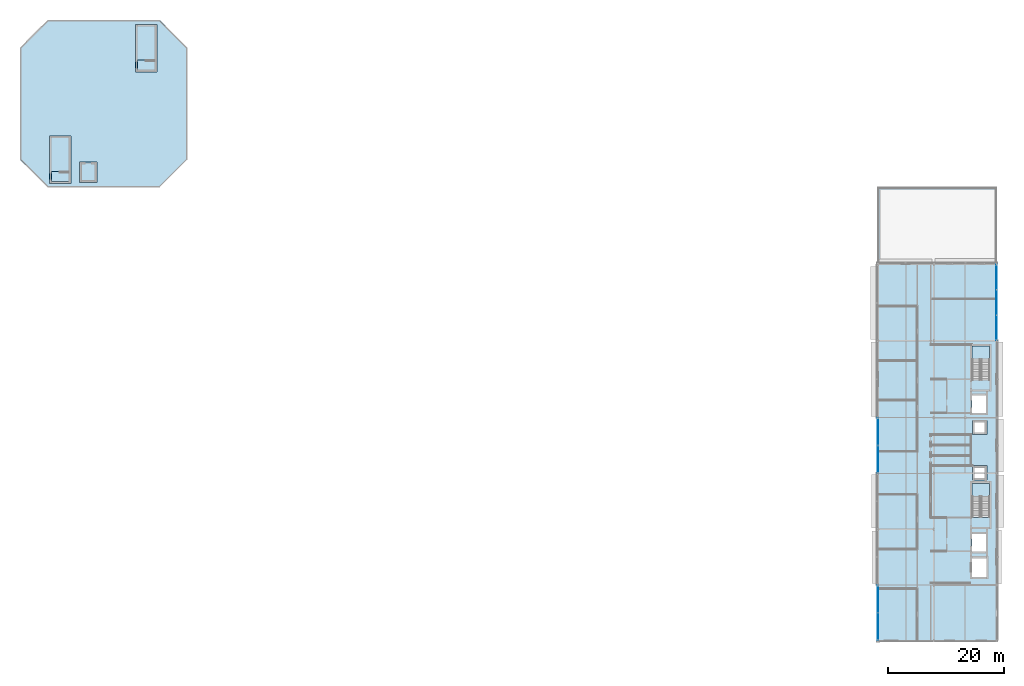
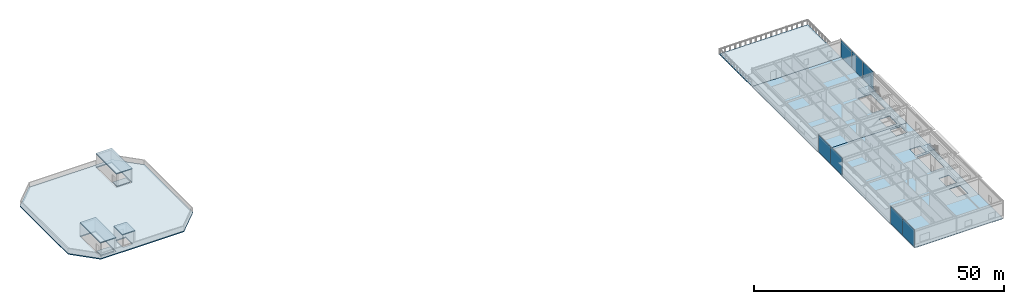
# One storey, part 12 of 22: 11 slabs, 7 plates, 5 elements without a shape of their own.
"""IFC4 building model written with IfcOpenShell, lengths in metres."""

from ifc_helpers import new_model, si_unit, direction, frame, origin, origin_2d, place, context, subcontext, project, spatial, polyline, rectangle, outline, extrude, material, layer, layer_set, type_object, element, aggregate, save


model = new_model("IFC4")

# Units and contexts
model_context = context("Model", 3, precision=1e-05, world=origin(), true_north=direction((0.0, 1.0)))
body_context = subcontext(model_context, "Body", "Model", "MODEL_VIEW")
ifc_project = project(units=[si_unit("LENGTHUNIT", "METRE"), si_unit("AREAUNIT", "SQUARE_METRE"), si_unit("VOLUMEUNIT", "CUBIC_METRE"), si_unit("PLANEANGLEUNIT", "RADIAN"), si_unit("MASSUNIT", "GRAM", prefix="KILO")], contexts=[model_context])

# Site, building, storey
site_placement = place(None, origin())
site = spatial("IfcSite", under=ifc_project, at=site_placement, CompositionType="ELEMENT")
building_placement = place(site_placement, origin())
building = spatial("IfcBuilding", under=site, at=building_placement, Name="Almandine Court Research Institute", CompositionType="ELEMENT")
storey_placement = place(building_placement, frame((0.0, 0.0, 28.0)))
storey = spatial("IfcBuildingStorey", under=building, at=storey_placement, Name="L06", CompositionType="ELEMENT", Elevation=28.0)

# Curtain wall, plates
ifc_material_1 = material(Name="Unitised Curtain Wall Framing and Solar Glazing", Category="glass")
curtain_wall_type_1 = type_object("IfcCurtainWallType", Name="CW-CWJ-02", PredefinedType="USERDEFINED", material=ifc_material_1)
curtain_wall_1_placement = place(storey_placement, origin())
curtain_wall_1 = element("IfcCurtainWall", 1, at=curtain_wall_1_placement, inside=storey, type_object=curtain_wall_type_1, Name="L06 Wet Lab West Courtyard Jali Curtain Wall 1", ObjectType="SOLAR JALI SCREEN", PredefinedType="USERDEFINED")
ifc_material_2 = material(Name="Perforated Ochre Terracotta Jali Solar Cassette", Category="masonry")
ifc_layer_1 = layer(ifc_material_2, 0.035888671875)
ifc_layer_set_1 = layer_set([ifc_layer_1], Name="Perforated Ochre Terracotta Jali Solar Cassette")
plate_type = type_object("IfcPlateType", Name="CWPnl-JALI-36", PredefinedType="CURTAIN_PANEL", material=ifc_layer_set_1)
plate_1_placement = place(storey_placement, frame((153.60009765625, 8.418212890625, 0.06494140625), z_axis=(0.0, 0.0, 1.0), x_axis=(0.0, 1.0, 0.0)))
plate_1 = element("IfcPlate", 2, at=plate_1_placement, type_object=plate_type, Name="CWJ-02 panel 1.1", PredefinedType="CURTAIN_PANEL", context=body_context, shape_type="SweptSolid", body=[
    extrude(rectangle(XDim=4.698486328125, YDim=0.035888671875, at=origin_2d()), origin(), (0.0, 0.0, 1.0), 4.239990234375),
])
plate_2_placement = place(storey_placement, frame((153.60009765625, 13.181640625, 0.06494140625), z_axis=(0.0, 0.0, 1.0), x_axis=(0.0, 1.0, 0.0)))
plate_2 = element("IfcPlate", 3, at=plate_2_placement, type_object=plate_type, Name="CWJ-02 panel 2.1", PredefinedType="CURTAIN_PANEL", context=body_context, shape_type="SweptSolid", body=[
    extrude(rectangle(XDim=4.698486328125, YDim=0.035888671875, at=origin_2d()), origin(), (0.0, 0.0, 1.0), 4.239990234375),
])
aggregate(curtain_wall_1, [plate_1, plate_2])

curtain_wall_2_placement = place(storey_placement, origin())
curtain_wall_2 = element("IfcCurtainWall", 4, at=curtain_wall_2_placement, inside=storey, type_object=curtain_wall_type_1, Name="L06 Wet Lab West Courtyard Jali Curtain Wall 4", ObjectType="SOLAR JALI SCREEN", PredefinedType="USERDEFINED")
plate_3_placement = place(storey_placement, frame((153.60009765625, 37.21826171875, 0.06494140625), z_axis=(0.0, 0.0, 1.0), x_axis=(0.0, 1.0, 0.0)))
plate_3 = element("IfcPlate", 5, at=plate_3_placement, type_object=plate_type, Name="CWJ-02 panel 1.1", PredefinedType="CURTAIN_PANEL", context=body_context, shape_type="SweptSolid", body=[
    extrude(rectangle(XDim=4.698486328125, YDim=0.035888671875, at=origin_2d()), origin(), (0.0, 0.0, 1.0), 4.239990234375),
])
plate_4_placement = place(storey_placement, frame((153.60009765625, 41.981689453125, 0.06494140625), z_axis=(0.0, 0.0, 1.0), x_axis=(0.0, 1.0, 0.0)))
plate_4 = element("IfcPlate", 6, at=plate_4_placement, type_object=plate_type, Name="CWJ-02 panel 2.1", PredefinedType="CURTAIN_PANEL", context=body_context, shape_type="SweptSolid", body=[
    extrude(rectangle(XDim=4.698486328125, YDim=0.035888671875, at=origin_2d()), origin(), (0.0, 0.0, 1.0), 4.239990234375),
])
aggregate(curtain_wall_2, [plate_3, plate_4])

curtain_wall_type_2 = type_object("IfcCurtainWallType", Name="CW-CWJ-15", PredefinedType="USERDEFINED", material=ifc_material_1)
curtain_wall_3_placement = place(storey_placement, origin())
curtain_wall_3 = element("IfcCurtainWall", 7, at=curtain_wall_3_placement, inside=storey, type_object=curtain_wall_type_2, Name="L06 Wet Lab East Jali Curtain Wall 6", ObjectType="SOLAR JALI SCREEN", PredefinedType="USERDEFINED")
plate_5_placement = place(storey_placement, frame((174.0, 68.5810546875, 0.06494140625), z_axis=(0.0, 0.0, 1.0), x_axis=(0.0, -1.0, 0.0)))
plate_5 = element("IfcPlate", 8, at=plate_5_placement, type_object=plate_type, Name="CWJ-15 panel 1.1", PredefinedType="CURTAIN_PANEL", context=body_context, shape_type="SweptSolid", body=[
    extrude(rectangle(XDim=4.2998046875, YDim=0.035888671875, at=origin_2d()), origin(), (0.0, 0.0, 1.0), 4.239990234375),
])
plate_6_placement = place(storey_placement, frame((174.0, 64.199951171875, 0.06494140625), z_axis=(0.0, 0.0, 1.0), x_axis=(0.0, -1.0, 0.0)))
plate_6 = element("IfcPlate", 9, at=plate_6_placement, type_object=plate_type, Name="CWJ-15 panel 2.1", PredefinedType="CURTAIN_PANEL", context=body_context, shape_type="SweptSolid", body=[
    extrude(rectangle(XDim=4.332275390625, YDim=0.035888671875, at=origin_2d()), origin(), (0.0, 0.0, 1.0), 4.239990234375),
])
plate_7_placement = place(storey_placement, frame((174.0, 59.81884765625, 0.06494140625), z_axis=(0.0, 0.0, 1.0), x_axis=(0.0, -1.0, 0.0)))
plate_7 = element("IfcPlate", 10, at=plate_7_placement, type_object=plate_type, Name="CWJ-15 panel 3.1", PredefinedType="CURTAIN_PANEL", context=body_context, shape_type="SweptSolid", body=[
    extrude(rectangle(XDim=4.2998046875, YDim=0.035888671875, at=origin_2d()), origin(), (0.0, 0.0, 1.0), 4.239990234375),
])
aggregate(curtain_wall_3, [plate_5, plate_6, plate_7])

# Slabs
ifc_material_3 = material(Name="Concrete C35/45", Category="concrete")
ifc_layer_2 = layer(ifc_material_3, 0.1650390625)
ifc_layer_set_2 = layer_set([ifc_layer_2], Name="Concrete C35/45")
slab_type_1 = type_object("IfcSlabType", Name="Slab-FLR-165", PredefinedType="FLOOR", material=ifc_layer_set_2)
slab_1_placement = place(storey_placement, frame((0.0, 0.0, -0.1650390625)))
element("IfcSlab", 11, at=slab_1_placement, inside=storey, type_object=slab_type_1, Name="L06 Volume 4 Wet Laboratory S Floor Slab", PredefinedType="FLOOR", context=body_context, shape_type="SweptSolid", body=[
    extrude(outline(polyline([(153.60009765625, 6.0), (174.0, 6.0), (174.0, 44.39990234375), (153.60009765625, 44.39990234375), (153.60009765625, 6.0)]), holes=[polyline([(172.800048828125, 27.25), (172.800048828125, 33.10009765625), (169.800048828125, 33.10009765625), (169.800048828125, 27.25), (172.800048828125, 27.25)]), polyline([(169.800048828125, 21.39990234375), (172.199951171875, 21.39990234375), (172.199951171875, 24.39990234375), (169.800048828125, 24.39990234375), (169.800048828125, 21.39990234375)]), polyline([(169.800048828125, 17.0), (172.300048828125, 17.0), (172.300048828125, 20.199951171875), (169.800048828125, 20.199951171875), (169.800048828125, 17.0)]), polyline([(169.8798828125, 33.679931640625), (172.320068359375, 33.679931640625), (172.320068359375, 36.1201171875), (169.8798828125, 36.1201171875), (169.8798828125, 33.679931640625)]), polyline([(169.8798828125, 41.47998046875), (172.320068359375, 41.47998046875), (172.320068359375, 43.919921875), (169.8798828125, 43.919921875), (169.8798828125, 41.47998046875)])]), origin(), (0.0, 0.0, 1.0), 0.1650390625),
])
slab_2_placement = place(storey_placement, frame((0.0, 0.0, -0.1650390625)))
element("IfcSlab", 12, at=slab_2_placement, inside=storey, type_object=slab_type_1, Name="L06 Volume 4 Wet Laboratory N Floor Slab", PredefinedType="FLOOR", context=body_context, shape_type="SweptSolid", body=[
    extrude(outline(polyline([(153.60009765625, 44.39990234375), (174.0, 44.39990234375), (174.0, 70.800048828125), (153.60009765625, 70.800048828125), (153.60009765625, 44.39990234375)]), holes=[polyline([(172.800048828125, 50.85009765625), (172.800048828125, 56.699951171875), (169.800048828125, 56.699951171875), (169.800048828125, 50.85009765625), (172.800048828125, 50.85009765625)]), polyline([(169.800048828125, 45.199951171875), (172.199951171875, 45.199951171875), (172.199951171875, 48.199951171875), (169.800048828125, 48.199951171875), (169.800048828125, 45.199951171875)])]), origin(), (0.0, 0.0, 1.0), 0.1650390625),
])

# Stair, slab
stair_type = type_object("IfcStairType", Name="Stair-Core-26R", PredefinedType="HALF_TURN_STAIR", material=ifc_material_3)
stair_1_placement = place(storey_placement, origin())
stair_1 = element("IfcStair", 13, at=stair_1_placement, inside=storey, type_object=stair_type, Name="L06 Wet Lab South High-Rise Core Stair", PredefinedType="HALF_TURN_STAIR")
ifc_layer_3 = layer(ifc_material_3, 0.179931640625)
ifc_layer_set_3 = layer_set([ifc_layer_3], Name="Concrete C35/45")
slab_type_2 = type_object("IfcSlabType", Name="Slab-Landing-180", PredefinedType="LANDING", material=ifc_layer_set_3)
slab_3_placement = place(storey_placement, frame((0.0, 0.0, 2.094970703125)))
slab_3 = element("IfcSlab", 14, at=slab_3_placement, type_object=slab_type_2, Name="ST-07 landing 1", PredefinedType="LANDING", context=body_context, shape_type="SweptSolid", body=[
    extrude(outline(polyline([(172.800048828125, 30.85009765625), (172.800048828125, 33.10009765625), (169.800048828125, 33.10009765625), (169.800048828125, 30.85009765625), (172.800048828125, 30.85009765625)])), origin(), (0.0, 0.0, 1.0), 0.179931640625),
])
aggregate(stair_1, [slab_3])

stair_2_placement = place(storey_placement, origin())
stair_2 = element("IfcStair", 15, at=stair_2_placement, inside=storey, type_object=stair_type, Name="L06 Wet Lab Central High-Rise Core Stair", PredefinedType="HALF_TURN_STAIR")
slab_4_placement = place(storey_placement, frame((0.0, 0.0, 2.094970703125)))
slab_4 = element("IfcSlab", 16, at=slab_4_placement, type_object=slab_type_2, Name="ST-08 landing 1", PredefinedType="LANDING", context=body_context, shape_type="SweptSolid", body=[
    extrude(outline(polyline([(172.800048828125, 54.449951171875), (172.800048828125, 56.699951171875), (169.800048828125, 56.699951171875), (169.800048828125, 54.449951171875), (172.800048828125, 54.449951171875)])), origin(), (0.0, 0.0, 1.0), 0.179931640625),
])
aggregate(stair_2, [slab_4])

# Slabs
ifc_layer_4 = layer(ifc_material_3, 0.199951171875)
ifc_layer_set_4 = layer_set([ifc_layer_4], Name="Concrete C35/45")
slab_type_3 = type_object("IfcSlabType", Name="Slab-PHF-200", PredefinedType="FLOOR", material=ifc_layer_set_4)
slab_5_placement = place(storey_placement, frame((0.0, 0.0, -0.199951171875)))
element("IfcSlab", 17, at=slab_5_placement, inside=storey, type_object=slab_type_3, Name="L06 ST-05 Penthouse Landing Slab", PredefinedType="FLOOR", context=body_context, shape_type="SweptSolid", body=[
    extrude(outline(polyline([(14.39990234375, 85.0), (14.39990234375, 86.7099609375), (11.39990234375, 86.7099609375), (11.39990234375, 85.0), (14.39990234375, 85.0)])), origin(), (0.0, 0.0, 1.0), 0.199951171875),
])
slab_6_placement = place(storey_placement, frame((0.0, 0.0, -0.199951171875)))
element("IfcSlab", 18, at=slab_6_placement, inside=storey, type_object=slab_type_3, Name="L06 ST-06 Penthouse Landing Slab", PredefinedType="FLOOR", context=body_context, shape_type="SweptSolid", body=[
    extrude(outline(polyline([(29.199951171875, 104.199951171875), (29.199951171875, 105.909912109375), (26.199951171875, 105.909912109375), (26.199951171875, 104.199951171875), (29.199951171875, 104.199951171875)])), origin(), (0.0, 0.0, 1.0), 0.199951171875),
])
ifc_layer_5 = layer(ifc_material_3, 0.199951171875)
ifc_layer_set_5 = layer_set([ifc_layer_5], Name="Concrete C35/45")
slab_type_4 = type_object("IfcSlabType", Name="Slab-RF-200", PredefinedType="ROOF", material=ifc_layer_set_5)
slab_7_placement = place(storey_placement, frame((0.0, 0.0, 3.199951171875)))
element("IfcSlab", 19, at=slab_7_placement, inside=storey, type_object=slab_type_4, Name="L06 ST-05 Stair Penthouse Roof Slab", PredefinedType="ROOF", context=body_context, shape_type="SweptSolid", body=[
    extrude(outline(polyline([(11.050048828125, 84.64990234375), (14.75, 84.64990234375), (14.75, 92.85009765625), (11.050048828125, 92.85009765625), (11.050048828125, 84.64990234375)])), origin(), (0.0, 0.0, 1.0), 0.199951171875),
])
slab_8_placement = place(storey_placement, frame((0.0, 0.0, 3.199951171875)))
element("IfcSlab", 20, at=slab_8_placement, inside=storey, type_object=slab_type_4, Name="L06 ST-06 Stair Penthouse Roof Slab", PredefinedType="ROOF", context=body_context, shape_type="SweptSolid", body=[
    extrude(outline(polyline([(25.85009765625, 103.85009765625), (29.550048828125, 103.85009765625), (29.550048828125, 112.050048828125), (25.85009765625, 112.050048828125), (25.85009765625, 103.85009765625)])), origin(), (0.0, 0.0, 1.0), 0.199951171875),
])
slab_9_placement = place(storey_placement, frame((0.0, 0.0, 3.199951171875)))
element("IfcSlab", 21, at=slab_9_placement, inside=storey, type_object=slab_type_4, Name="L06 PL-02 Lift Overrun Roof Slab", PredefinedType="ROOF", context=body_context, shape_type="SweptSolid", body=[
    extrude(outline(polyline([(16.25, 84.85009765625), (19.25, 84.85009765625), (19.25, 88.35009765625), (16.25, 88.35009765625), (16.25, 84.85009765625)])), origin(), (0.0, 0.0, 1.0), 0.199951171875),
])
ifc_layer_6 = layer(ifc_material_3, 0.239990234375)
ifc_layer_set_6 = layer_set([ifc_layer_6], Name="Concrete C35/45")
slab_type_5 = type_object("IfcSlabType", Name="Slab-RF-240", PredefinedType="ROOF", material=ifc_layer_set_6)
slab_10_placement = place(storey_placement, frame((0.0, 0.0, -0.239990234375)))
element("IfcSlab", 22, at=slab_10_placement, inside=storey, type_object=slab_type_5, Name="L06 Cleanroom Pavilion Planted Green Roof Slab", PredefinedType="ROOF", context=body_context, shape_type="SweptSolid", body=[
    extrude(outline(polyline([(10.800048828125, 84.0), (30.0, 84.0), (34.800048828125, 88.800048828125), (34.800048828125, 108.0), (30.0, 112.800048828125), (10.800048828125, 112.800048828125), (6.0, 108.0), (6.0, 88.800048828125), (10.800048828125, 84.0)]), holes=[polyline([(11.080078125, 84.679931640625), (14.719970703125, 84.679931640625), (14.719970703125, 92.820068359375), (11.080078125, 92.820068359375), (11.080078125, 84.679931640625)]), polyline([(25.8798828125, 103.8798828125), (29.52001953125, 103.8798828125), (29.52001953125, 112.02001953125), (25.8798828125, 112.02001953125), (25.8798828125, 103.8798828125)]), polyline([(16.60009765625, 85.199951171875), (18.89990234375, 85.199951171875), (18.89990234375, 88.0), (16.60009765625, 88.0), (16.60009765625, 85.199951171875)])]), origin(), (0.0, 0.0, 1.0), 0.239990234375),
])
ifc_layer_7 = layer(ifc_material_3, 0.22509765625)
ifc_layer_set_7 = layer_set([ifc_layer_7], Name="Concrete C35/45")
slab_type_6 = type_object("IfcSlabType", Name="Slab-TER-225", PredefinedType="FLOOR", material=ifc_layer_set_7)
slab_11_placement = place(storey_placement, frame((0.0, 0.0, -0.22509765625)))
element("IfcSlab", 23, at=slab_11_placement, inside=storey, type_object=slab_type_6, Name="L06 Volume 4 Stepped Planted Roof Garden Slab", PredefinedType="FLOOR", context=body_context, shape_type="SweptSolid", body=[
    extrude(outline(polyline([(153.60009765625, 70.800048828125), (174.0, 70.800048828125), (174.0, 84.0), (153.60009765625, 84.0), (153.60009765625, 70.800048828125)])), origin(), (0.0, 0.0, 1.0), 0.22509765625),
])

save(model, "model.ifc")
